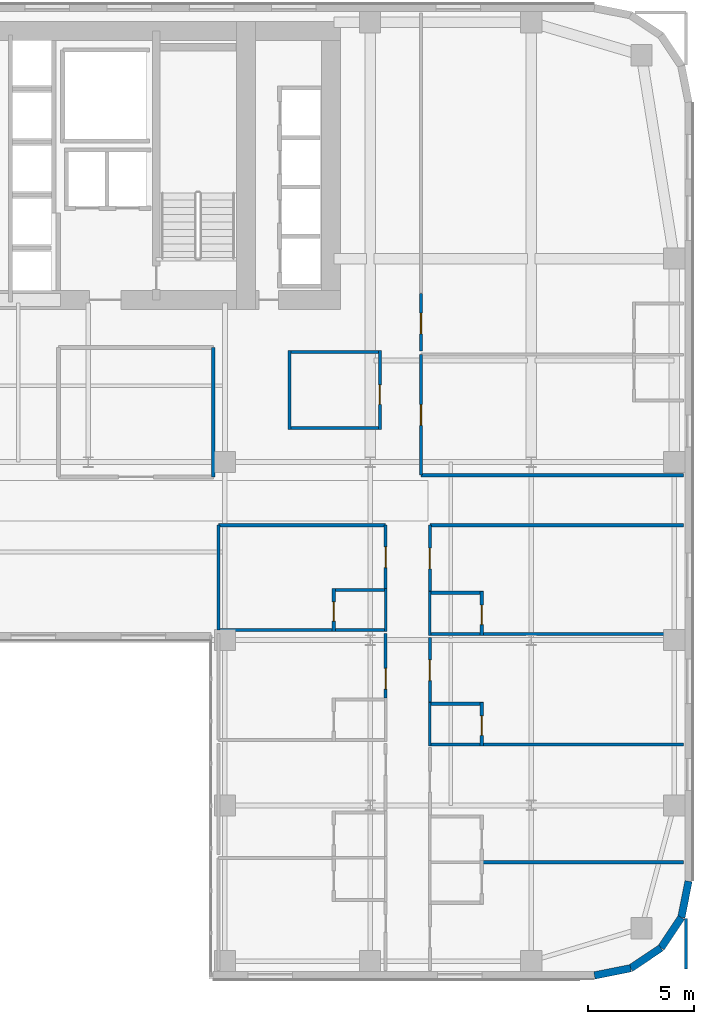
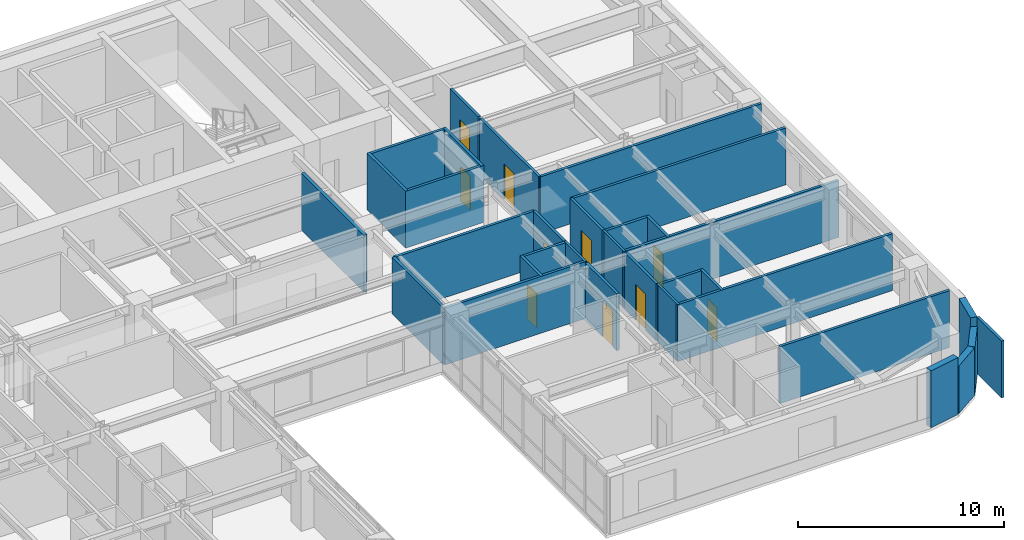
# One storey, part 29 of 37: 33 walls, 10 doors, 10 openings.
"""IFC4 building model written with IfcOpenShell, lengths in metres."""

from ifc_helpers import new_model, si_unit, direction, frame, frame_2d, origin, place, context, subcontext, project, spatial, rectangle, extrude, source, transform, mapped, material, layer, layer_set, type_object, type_shapes, element, fill, save


model = new_model("IFC4")

# Units and contexts
model_context = context("Model", 3, precision=1e-05, world=origin(), true_north=direction((0.0, 1.0)))
body_context = subcontext(model_context, "Body", "Model", "MODEL_VIEW")
ifc_project = project(units=[si_unit("LENGTHUNIT", "METRE"), si_unit("AREAUNIT", "SQUARE_METRE"), si_unit("VOLUMEUNIT", "CUBIC_METRE"), si_unit("PLANEANGLEUNIT", "RADIAN"), si_unit("MASSUNIT", "GRAM", prefix="KILO")], contexts=[model_context])

# Site, building, storey
site_placement = place(None, origin())
site = spatial("IfcSite", under=ifc_project, at=site_placement, CompositionType="ELEMENT")
building_placement = place(site_placement, origin())
building = spatial("IfcBuilding", under=site, at=building_placement, Name="Tolvann Quenvar Hotel", CompositionType="ELEMENT")
storey_placement = place(building_placement, frame((0.0, 0.0, 53.300048828125)))
storey = spatial("IfcBuildingStorey", under=building, at=storey_placement, Name="L12", CompositionType="ELEMENT", Elevation=53.300048828125)

# Walls
ifc_material_1 = material(Name="Kiln-fired red and buff architectural clay brickwork and terracotta masonry", Category="masonry")
ifc_layer_1 = layer(ifc_material_1, 0.35009765625)
ifc_layer_set_1 = layer_set([ifc_layer_1], Name="Kiln-fired red and buff architectural clay brickwork and terracotta masonry")
wall_type_1 = type_object("IfcWallType", Name="WALL_EXT_BRICK_350", PredefinedType="SOLIDWALL", material=ifc_layer_set_1)
wall_1_placement = place(storey_placement, frame((52.3828125, 0.175048828125, 0.0), z_axis=(0.0, 0.0, 1.0), x_axis=(0.980800971659, 0.195011420161, 0.0)))
element("IfcWall", 1, at=wall_1_placement, inside=storey, type_object=wall_type_1, Name="Exterior Chicago Brick Wall L12-E09", PredefinedType="SOLIDWALL", context=body_context, shape_type="SweptSolid", body=[
    extrude(rectangle(XDim=1.74267578125, YDim=0.35009765625, at=frame_2d((0.871337890625, 0.0))), origin(), (0.0, 0.0, 1.0), 3.369873046875),
])
for number, where, z_axis, x_axis, name in (
    (2, (54.092041015625, 0.514892578125, 0.0), (0.0, 0.0, 1.0), (0.831483840845, 0.55554893791, 0.0), "Exterior Chicago Brick Wall L12-E10"),
    (3, (55.526611328125, 1.473388671875, 0.0), (0.0, 0.0, 1.0), (0.55554893791, 0.831483840845, 0.0), "Exterior Chicago Brick Wall L12-E11"),
):
    element("IfcWall", number, at=place(storey_placement, frame(where, z_axis=z_axis, x_axis=x_axis)), inside=storey, type_object=wall_type_1, Name=name, PredefinedType="SOLIDWALL", context=body_context, shape_type="SweptSolid", body=[
        extrude(rectangle(XDim=1.725341796875, YDim=0.35009765625, at=frame_2d((0.86279296875, 0.0))), origin(), (0.0, 0.0, 1.0), 2.83203125),
    ])
wall_2_placement = place(storey_placement, frame((56.485107421875, 2.907958984375, 0.0), z_axis=(0.0, 0.0, 1.0), x_axis=(0.195011420161, 0.980800971659, 0.0)))
element("IfcWall", 4, at=wall_2_placement, inside=storey, type_object=wall_type_1, Name="Exterior Chicago Brick Wall L12-E12", PredefinedType="SOLIDWALL", context=body_context, shape_type="SweptSolid", body=[
    extrude(rectangle(XDim=1.74267578125, YDim=0.35009765625, at=frame_2d((0.871337890625, 0.0))), origin(), (0.0, 0.0, 1.0), 3.369873046875),
])
ifc_material_2 = material(Name="Acoustic twin-stud fire-rated gypsum plasterboard partition")
ifc_layer_2 = layer(ifc_material_2, 0.179931640625)
ifc_layer_set_2 = layer_set([ifc_layer_2], Name="Acoustic twin-stud fire-rated gypsum plasterboard partition")
wall_type_2 = type_object("IfcWallType", Name="WALL_PART_ACOUSTIC_180", PredefinedType="PARTITIONING", material=ifc_layer_set_2)
wall_3_placement = place(storey_placement, frame((34.39990234375, 23.699951171875, 0.0), z_axis=(0.0, 0.0, 1.0), x_axis=(0.0, 1.0, 0.0)))
element("IfcWall", 5, at=wall_3_placement, inside=storey, type_object=wall_type_2, Name="Interior Partition PT-SPC-L12-MSP-C-E", PredefinedType="PARTITIONING", context=body_context, shape_type="SweptSolid", body=[
    extrude(rectangle(XDim=6.10009765625, YDim=0.179931640625, at=frame_2d((3.050048828125, 0.0))), origin(), (0.0, 0.0, 1.0), 3.369873046875),
])
ifc_material_3 = material(Name="Moisture-resistant acoustic plumbing wall assembly")
ifc_layer_3 = layer(ifc_material_3, 0.1201171875)
ifc_layer_set_3 = layer_set([ifc_layer_3], Name="Moisture-resistant acoustic plumbing wall assembly")
wall_type_3 = type_object("IfcWallType", Name="WALL_PART_BATH_120", PredefinedType="PLUMBINGWALL", material=ifc_layer_set_3)
wall_4_placement = place(storey_placement, frame((42.530029296875, 16.409912109375, 0.0), z_axis=(0.0, 0.0, 1.0), x_axis=(0.0, 1.0, 0.0)))
element("IfcWall", 6, at=wall_4_placement, inside=storey, type_object=wall_type_3, Name="Non-Rated Plumbing Partition PT-SPC-L12-ENS-EI04-E", PredefinedType="PLUMBINGWALL", context=body_context, shape_type="SweptSolid", body=[
    extrude(rectangle(XDim=2.01708984375, YDim=0.1201171875, at=frame_2d((1.008544921875, 0.0))), origin(), (0.0, 0.0, 1.0), 3.369873046875),
])
wall_5_placement = place(storey_placement, frame((44.6201171875, 11.010009765625, 0.0), z_axis=(0.0, 0.0, 1.0), x_axis=(0.0, 1.0, 0.0)))
element("IfcWall", 7, at=wall_5_placement, inside=storey, type_object=wall_type_3, Name="Non-Rated Plumbing Partition PT-SPC-L12-ENS-EO03-W", PredefinedType="PLUMBINGWALL", context=body_context, shape_type="SweptSolid", body=[
    extrude(rectangle(XDim=2.054931640625, YDim=0.1201171875, at=frame_2d((1.02734375, 0.0))), origin(), (0.0, 0.0, 1.0), 3.369873046875),
])
wall_6_placement = place(storey_placement, frame((44.6201171875, 16.2099609375, 0.0), z_axis=(0.0, 0.0, 1.0), x_axis=(0.0, 1.0, 0.0)))
element("IfcWall", 8, at=wall_6_placement, inside=storey, type_object=wall_type_3, Name="Non-Rated Plumbing Partition PT-SPC-L12-ENS-EO04-W", PredefinedType="PLUMBINGWALL", context=body_context, shape_type="SweptSolid", body=[
    extrude(rectangle(XDim=2.093017578125, YDim=0.1201171875, at=frame_2d((1.04638671875, 0.0))), origin(), (0.0, 0.0, 1.0), 3.369873046875),
])

# Wall, opening, door
ifc_layer_4 = layer(ifc_material_2, 0.14990234375)
ifc_layer_set_4 = layer_set([ifc_layer_4], Name="Acoustic twin-stud fire-rated gypsum plasterboard partition")
wall_type_4 = type_object("IfcWallType", Name="WALL_PART_SUITE_150", PredefinedType="PARTITIONING", material=ifc_layer_set_4)
wall_7_placement = place(storey_placement, frame((40.080078125, 16.409912109375, 0.0), z_axis=(0.0, 0.0, 1.0), x_axis=(0.0, 1.0, 0.0)))
wall_7 = element("IfcWall", 9, at=wall_7_placement, inside=storey, type_object=wall_type_4, Name="Interior Partition PT-SPC-L12-ENS-EI04-ENT", PredefinedType="PARTITIONING", context=body_context, shape_type="SweptSolid", body=[
    extrude(rectangle(XDim=2.01708984375, YDim=0.14990234375, at=frame_2d((1.008544921875, 0.0))), origin(), (0.0, 0.0, 1.0), 3.369873046875),
])
opening_1_placement = place(wall_7_placement, frame((0.478515625, 0.0, 0.0)))
opening_1 = element("IfcOpeningElement", 10, at=opening_1_placement, cuts=wall_7, Name="Opening WD-01", PredefinedType="OPENING", context=body_context, shape_type="SweptSolid", body=[
    extrude(rectangle(XDim=0.919921875, YDim=2.010009765625, at=frame_2d((0.4599609375, 1.0048828125))), frame((0.0, 0.0849609375, 0.0), z_axis=(0.0, -1.0, 0.0), x_axis=(1.0, 0.0, 0.0)), (0.0, 0.0, 1.0), 0.169921875),
])
ifc_material_4 = material(Name="Solid-core American oak acoustic fire door leaf in steel frame", Category="steel")
door_type_1 = type_object("IfcDoorType", Name="DOOR_WC_920", OperationType="NOTDEFINED", PredefinedType="DOOR", material=ifc_material_4)
shared_shape_1 = source(origin(), body_context, "Body", "SweptSolid", [
    extrude(rectangle(XDim=0.919921875, YDim=2.010009765625, at=frame_2d((0.4599609375, 1.0048828125))), frame((0.0, 0.02490234375, 0.0), z_axis=(0.0, -1.0, 0.0), x_axis=(1.0, 0.0, 0.0)), (0.0, 0.0, 1.0), 0.050048828125),
])
type_shapes(door_type_1, [shared_shape_1])
door_1_placement = place(opening_1_placement, origin())
door_1 = element("IfcDoor", 11, at=door_1_placement, inside=storey, type_object=door_type_1, Name="Interior Door DOOR-SPC-L12-ENS-EI04", OperationType="SINGLE_SWING_RIGHT", OverallHeight=2.010009765625, OverallWidth=0.919921875, PredefinedType="DOOR", context=body_context, shape_type="MappedRepresentation", body=[
    mapped(shared_shape_1, transform((0.0, 0.0, 0.0), x_axis=(1.0, 0.0, 0.0), y_axis=(0.0, 1.0, 0.0), z_axis=(0.0, 0.0, 1.0), scale=1.0)),
])
fill(opening_1, door_1)

# Walls
wall_8_placement = place(storey_placement, frame((34.64990234375, 16.47998046875, 0.0), z_axis=(0.0, 0.0, 1.0), x_axis=(1.0, 0.0, 0.0)))
element("IfcWall", 12, at=wall_8_placement, inside=storey, type_object=wall_type_4, Name="Interior Partition PT-SPC-L12-ENS-EI04-S", PredefinedType="PARTITIONING", context=body_context, shape_type="SweptSolid", body=[
    extrude(rectangle(XDim=7.9501953125, YDim=0.14990234375, at=frame_2d((3.97509765625, 0.0))), origin(), (0.0, 0.0, 1.0), 3.369873046875),
])
wall_9_placement = place(storey_placement, frame((40.010009765625, 18.35693359375, 0.0), z_axis=(0.0, 0.0, 1.0), x_axis=(1.0, 0.0, 0.0)))
element("IfcWall", 13, at=wall_9_placement, inside=storey, type_object=wall_type_4, Name="Interior Partition PT-SPC-L12-ENS-EI04-N", PredefinedType="PARTITIONING", context=body_context, shape_type="SweptSolid", body=[
    extrude(rectangle(XDim=2.590087890625, YDim=0.14990234375, at=frame_2d((1.294921875, 0.0))), origin(), (0.0, 0.0, 1.0), 3.369873046875),
])

# Wall, opening, door
wall_10_placement = place(storey_placement, frame((47.070068359375, 11.010009765625, 0.0), z_axis=(0.0, 0.0, 1.0), x_axis=(0.0, 1.0, 0.0)))
wall_10 = element("IfcWall", 14, at=wall_10_placement, inside=storey, type_object=wall_type_4, Name="Interior Partition PT-SPC-L12-ENS-EO03-ENT", PredefinedType="PARTITIONING", context=body_context, shape_type="SweptSolid", body=[
    extrude(rectangle(XDim=2.054931640625, YDim=0.14990234375, at=frame_2d((1.02734375, 0.0))), origin(), (0.0, 0.0, 1.0), 3.369873046875),
])
opening_2_placement = place(wall_10_placement, frame((0.49755859375, 0.0, 0.0)))
opening_2 = element("IfcOpeningElement", 15, at=opening_2_placement, cuts=wall_10, Name="Opening WD-01", PredefinedType="OPENING", context=body_context, shape_type="SweptSolid", body=[
    extrude(rectangle(XDim=0.919921875, YDim=2.010009765625, at=frame_2d((0.4599609375, 1.0048828125))), frame((0.0, 0.0849609375, 0.0), z_axis=(0.0, -1.0, 0.0), x_axis=(1.0, 0.0, 0.0)), (0.0, 0.0, 1.0), 0.169921875),
])
door_2_placement = place(opening_2_placement, origin())
door_2 = element("IfcDoor", 16, at=door_2_placement, inside=storey, type_object=door_type_1, Name="Interior Door DOOR-SPC-L12-ENS-EO03", OperationType="SINGLE_SWING_LEFT", OverallHeight=2.010009765625, OverallWidth=0.919921875, PredefinedType="DOOR", context=body_context, shape_type="MappedRepresentation", body=[
    mapped(shared_shape_1, transform((0.0, 0.0, 0.0), x_axis=(1.0, 0.0, 0.0), y_axis=(0.0, 1.0, 0.0), z_axis=(0.0, 0.0, 1.0), scale=1.0)),
])
fill(opening_2, door_2)

# Walls
wall_11_placement = place(storey_placement, frame((44.550048828125, 11.080078125, 0.0), z_axis=(0.0, 0.0, 1.0), x_axis=(1.0, 0.0, 0.0)))
element("IfcWall", 17, at=wall_11_placement, inside=storey, type_object=wall_type_4, Name="Interior Partition PT-SPC-L12-ENS-EO03-S", PredefinedType="PARTITIONING", context=body_context, shape_type="SweptSolid", body=[
    extrude(rectangle(XDim=12.044921875, YDim=0.14990234375, at=frame_2d((6.0224609375, 0.0))), origin(), (0.0, 0.0, 1.0), 3.369873046875),
])
wall_12_placement = place(storey_placement, frame((44.550048828125, 12.9951171875, 0.0), z_axis=(0.0, 0.0, 1.0), x_axis=(1.0, 0.0, 0.0)))
element("IfcWall", 18, at=wall_12_placement, inside=storey, type_object=wall_type_4, Name="Interior Partition PT-SPC-L12-ENS-EO03-N", PredefinedType="PARTITIONING", context=body_context, shape_type="SweptSolid", body=[
    extrude(rectangle(XDim=2.58984375, YDim=0.14990234375, at=frame_2d((1.294921875, 0.0))), origin(), (0.0, 0.0, 1.0), 3.369873046875),
])

# Wall, opening, door
wall_13_placement = place(storey_placement, frame((47.070068359375, 16.2099609375, 0.0), z_axis=(0.0, 0.0, 1.0), x_axis=(0.0, 1.0, 0.0)))
wall_13 = element("IfcWall", 19, at=wall_13_placement, inside=storey, type_object=wall_type_4, Name="Interior Partition PT-SPC-L12-ENS-EO04-ENT", PredefinedType="PARTITIONING", context=body_context, shape_type="SweptSolid", body=[
    extrude(rectangle(XDim=2.093017578125, YDim=0.14990234375, at=frame_2d((1.04638671875, 0.0))), origin(), (0.0, 0.0, 1.0), 3.369873046875),
])
opening_3_placement = place(wall_13_placement, frame((0.5166015625, 0.0, 0.0)))
opening_3 = element("IfcOpeningElement", 20, at=opening_3_placement, cuts=wall_13, Name="Opening WD-01", PredefinedType="OPENING", context=body_context, shape_type="SweptSolid", body=[
    extrude(rectangle(XDim=0.919921875, YDim=2.010009765625, at=frame_2d((0.4599609375, 1.0048828125))), frame((0.0, 0.0849609375, 0.0), z_axis=(0.0, -1.0, 0.0), x_axis=(1.0, 0.0, 0.0)), (0.0, 0.0, 1.0), 0.169921875),
])
door_3_placement = place(opening_3_placement, origin())
door_3 = element("IfcDoor", 21, at=door_3_placement, inside=storey, type_object=door_type_1, Name="Interior Door DOOR-SPC-L12-ENS-EO04", OperationType="SINGLE_SWING_RIGHT", OverallHeight=2.010009765625, OverallWidth=0.919921875, PredefinedType="DOOR", context=body_context, shape_type="MappedRepresentation", body=[
    mapped(shared_shape_1, transform((0.0, 0.0, 0.0), x_axis=(1.0, 0.0, 0.0), y_axis=(0.0, 1.0, 0.0), z_axis=(0.0, 0.0, 1.0), scale=1.0)),
])
fill(opening_3, door_3)

# Walls
wall_14_placement = place(storey_placement, frame((44.550048828125, 16.280029296875, 0.0), z_axis=(0.0, 0.0, 1.0), x_axis=(1.0, 0.0, 0.0)))
element("IfcWall", 22, at=wall_14_placement, inside=storey, type_object=wall_type_4, Name="Interior Partition PT-SPC-L12-ENS-EO04-S", PredefinedType="PARTITIONING", context=body_context, shape_type="SweptSolid", body=[
    extrude(rectangle(XDim=12.044921875, YDim=0.14990234375, at=frame_2d((6.0224609375, 0.0))), origin(), (0.0, 0.0, 1.0), 3.369873046875),
])
wall_15_placement = place(storey_placement, frame((44.550048828125, 18.23291015625, 0.0), z_axis=(0.0, 0.0, 1.0), x_axis=(1.0, 0.0, 0.0)))
element("IfcWall", 23, at=wall_15_placement, inside=storey, type_object=wall_type_4, Name="Interior Partition PT-SPC-L12-ENS-EO04-N", PredefinedType="PARTITIONING", context=body_context, shape_type="SweptSolid", body=[
    extrude(rectangle(XDim=2.58984375, YDim=0.14990234375, at=frame_2d((1.294921875, 0.0))), origin(), (0.0, 0.0, 1.0), 3.369873046875),
])

# Wall, opening, door
wall_16_placement = place(storey_placement, frame((42.530029296875, 13.27490234375, 0.0), z_axis=(0.0, 0.0, 1.0), x_axis=(0.0, 1.0, 0.0)))
wall_16 = element("IfcWall", 24, at=wall_16_placement, inside=storey, type_object=wall_type_4, Name="Interior Partition PT-SPC-L12-RM-EI03-ENT", PredefinedType="PARTITIONING", context=body_context, shape_type="SweptSolid", body=[
    extrude(rectangle(XDim=3.045166015625, YDim=0.14990234375, at=frame_2d((1.5224609375, 0.0))), origin(), (0.0, 0.0, 1.0), 3.369873046875),
])
opening_4_placement = place(wall_16_placement, frame((0.41259765625, 0.0, 0.0)))
opening_4 = element("IfcOpeningElement", 25, at=opening_4_placement, cuts=wall_16, Name="Opening SD-01", PredefinedType="OPENING", context=body_context, shape_type="SweptSolid", body=[
    extrude(rectangle(XDim=0.97998046875, YDim=2.1201171875, at=frame_2d((0.489990234375, 1.06005859375))), frame((0.0, 0.0849609375, 0.0), z_axis=(0.0, -1.0, 0.0), x_axis=(1.0, 0.0, 0.0)), (0.0, 0.0, 1.0), 0.169921875),
])
door_type_2 = type_object("IfcDoorType", Name="DOOR_SUITE_980", OperationType="NOTDEFINED", PredefinedType="DOOR", material=ifc_material_4)
shared_shape_2 = source(origin(), body_context, "Body", "SweptSolid", [
    extrude(rectangle(XDim=0.97998046875, YDim=2.1201171875, at=frame_2d((0.489990234375, 1.06005859375))), frame((0.0, 0.02490234375, 0.0), z_axis=(0.0, -1.0, 0.0), x_axis=(1.0, 0.0, 0.0)), (0.0, 0.0, 1.0), 0.050048828125),
])
type_shapes(door_type_2, [shared_shape_2])
door_4_placement = place(opening_4_placement, origin())
door_4 = element("IfcDoor", 26, at=door_4_placement, inside=storey, type_object=door_type_2, Name="Interior Door DOOR-SPC-L12-RM-EI03", OperationType="SINGLE_SWING_RIGHT", OverallHeight=2.1201171875, OverallWidth=0.97998046875, PredefinedType="DOOR", context=body_context, shape_type="MappedRepresentation", body=[
    mapped(shared_shape_2, transform((0.0, 0.0, 0.0), x_axis=(1.0, 0.0, 0.0), y_axis=(0.0, 1.0, 0.0), z_axis=(0.0, 0.0, 1.0), scale=1.0)),
])
fill(opening_4, door_4)

wall_17_placement = place(storey_placement, frame((42.530029296875, 18.43701171875, 0.0), z_axis=(0.0, 0.0, 1.0), x_axis=(0.0, 1.0, 0.0)))
wall_17 = element("IfcWall", 27, at=wall_17_placement, inside=storey, type_object=wall_type_4, Name="Interior Partition PT-SPC-L12-RM-EI04-ENT", PredefinedType="PARTITIONING", context=body_context, shape_type="SweptSolid", body=[
    extrude(rectangle(XDim=2.98291015625, YDim=0.14990234375, at=frame_2d((1.491455078125, 0.0))), origin(), (0.0, 0.0, 1.0), 3.369873046875),
])
opening_5_placement = place(wall_17_placement, frame((0.9814453125, 0.0, 0.0)))
opening_5 = element("IfcOpeningElement", 28, at=opening_5_placement, cuts=wall_17, Name="Opening SD-01", PredefinedType="OPENING", context=body_context, shape_type="SweptSolid", body=[
    extrude(rectangle(XDim=0.97998046875, YDim=2.1201171875, at=frame_2d((0.489990234375, 1.06005859375))), frame((0.0, 0.0849609375, 0.0), z_axis=(0.0, -1.0, 0.0), x_axis=(1.0, 0.0, 0.0)), (0.0, 0.0, 1.0), 0.169921875),
])
door_5_placement = place(opening_5_placement, origin())
door_5 = element("IfcDoor", 29, at=door_5_placement, inside=storey, type_object=door_type_2, Name="Interior Door DOOR-SPC-L12-RM-EI04", OperationType="SINGLE_SWING_LEFT", OverallHeight=2.1201171875, OverallWidth=0.97998046875, PredefinedType="DOOR", context=body_context, shape_type="MappedRepresentation", body=[
    mapped(shared_shape_2, transform((0.0, 0.0, 0.0), x_axis=(1.0, 0.0, 0.0), y_axis=(0.0, 1.0, 0.0), z_axis=(0.0, 0.0, 1.0), scale=1.0)),
])
fill(opening_5, door_5)

# Walls
wall_18_placement = place(storey_placement, frame((34.64990234375, 21.419921875, 0.0), z_axis=(0.0, 0.0, 1.0), x_axis=(1.0, 0.0, 0.0)))
element("IfcWall", 30, at=wall_18_placement, inside=storey, type_object=wall_type_4, Name="Interior Partition PT-SPC-L12-RM-EI04-E5", PredefinedType="PARTITIONING", context=body_context, shape_type="SweptSolid", body=[
    extrude(rectangle(XDim=7.880126953125, YDim=0.14990234375, at=frame_2d((3.93994140625, 0.0))), origin(), (0.0, 0.0, 1.0), 3.369873046875),
])
wall_19_placement = place(storey_placement, frame((34.64990234375, 16.47998046875, 0.0), z_axis=(0.0, 0.0, 1.0), x_axis=(0.0, 1.0, 0.0)))
element("IfcWall", 31, at=wall_19_placement, inside=storey, type_object=wall_type_4, Name="Interior Partition PT-SPC-L12-RM-EI04-E6", PredefinedType="PARTITIONING", context=body_context, shape_type="SweptSolid", body=[
    extrude(rectangle(XDim=4.93994140625, YDim=0.14990234375, at=frame_2d((2.469970703125, 0.0))), origin(), (0.0, 0.0, 1.0), 3.369873046875),
])
wall_20_placement = place(storey_placement, frame((56.699951171875, 0.47998046875, 0.0), z_axis=(0.0, 0.0, 1.0), x_axis=(0.0, 1.0, 0.0)))
element("IfcWall", 32, at=wall_20_placement, inside=storey, type_object=wall_type_4, Name="Interior Partition PT-SPC-L12-RM-EO01-E2", PredefinedType="PARTITIONING", context=body_context, shape_type="SweptSolid", body=[
    extrude(rectangle(XDim=2.385009765625, YDim=0.14990234375, at=frame_2d((1.1923828125, 0.0))), origin(), (0.0, 0.0, 1.0), 3.369873046875),
])
wall_21_placement = place(storey_placement, frame((47.090087890625, 5.52001953125, 0.0), z_axis=(0.0, 0.0, 1.0), x_axis=(1.0, 0.0, 0.0)))
element("IfcWall", 33, at=wall_21_placement, inside=storey, type_object=wall_type_4, Name="Interior Partition PT-SPC-L12-RM-EO01-E3", PredefinedType="PARTITIONING", context=body_context, shape_type="SweptSolid", body=[
    extrude(rectangle(XDim=9.5048828125, YDim=0.14990234375, at=frame_2d((4.75244140625, 0.0))), origin(), (0.0, 0.0, 1.0), 3.369873046875),
])

# Wall, opening, door
wall_22_placement = place(storey_placement, frame((44.6201171875, 13.074951171875, 0.0), z_axis=(0.0, 0.0, 1.0), x_axis=(0.0, 1.0, 0.0)))
wall_22 = element("IfcWall", 34, at=wall_22_placement, inside=storey, type_object=wall_type_4, Name="Interior Partition PT-SPC-L12-RM-EO03-ENT", PredefinedType="PARTITIONING", context=body_context, shape_type="SweptSolid", body=[
    extrude(rectangle(XDim=3.045166015625, YDim=0.14990234375, at=frame_2d((1.5224609375, 0.0))), origin(), (0.0, 0.0, 1.0), 3.369873046875),
])
opening_6_placement = place(wall_22_placement, frame((1.012451171875, 0.0, 0.0)))
opening_6 = element("IfcOpeningElement", 35, at=opening_6_placement, cuts=wall_22, Name="Opening SD-01", PredefinedType="OPENING", context=body_context, shape_type="SweptSolid", body=[
    extrude(rectangle(XDim=0.97998046875, YDim=2.1201171875, at=frame_2d((0.489990234375, 1.06005859375))), frame((0.0, 0.0849609375, 0.0), z_axis=(0.0, -1.0, 0.0), x_axis=(1.0, 0.0, 0.0)), (0.0, 0.0, 1.0), 0.169921875),
])
door_6_placement = place(opening_6_placement, origin())
door_6 = element("IfcDoor", 36, at=door_6_placement, inside=storey, type_object=door_type_2, Name="Interior Door DOOR-SPC-L12-RM-EO03", OperationType="SINGLE_SWING_RIGHT", OverallHeight=2.1201171875, OverallWidth=0.97998046875, PredefinedType="DOOR", context=body_context, shape_type="MappedRepresentation", body=[
    mapped(shared_shape_2, transform((0.0, 0.0, 0.0), x_axis=(1.0, 0.0, 0.0), y_axis=(0.0, 1.0, 0.0), z_axis=(0.0, 0.0, 1.0), scale=1.0)),
])
fill(opening_6, door_6)

wall_23_placement = place(storey_placement, frame((44.6201171875, 18.31298828125, 0.0), z_axis=(0.0, 0.0, 1.0), x_axis=(0.0, 1.0, 0.0)))
wall_23 = element("IfcWall", 37, at=wall_23_placement, inside=storey, type_object=wall_type_4, Name="Interior Partition PT-SPC-L12-RM-EO04-ENT", PredefinedType="PARTITIONING", context=body_context, shape_type="SweptSolid", body=[
    extrude(rectangle(XDim=3.10693359375, YDim=0.14990234375, at=frame_2d((1.553466796875, 0.0))), origin(), (0.0, 0.0, 1.0), 3.369873046875),
])
opening_7_placement = place(wall_23_placement, frame((1.04345703125, 0.0, 0.0)))
opening_7 = element("IfcOpeningElement", 38, at=opening_7_placement, cuts=wall_23, Name="Opening SD-01", PredefinedType="OPENING", context=body_context, shape_type="SweptSolid", body=[
    extrude(rectangle(XDim=0.97998046875, YDim=2.1201171875, at=frame_2d((0.489990234375, 1.06005859375))), frame((0.0, 0.0849609375, 0.0), z_axis=(0.0, -1.0, 0.0), x_axis=(1.0, 0.0, 0.0)), (0.0, 0.0, 1.0), 0.169921875),
])
door_7_placement = place(opening_7_placement, origin())
door_7 = element("IfcDoor", 39, at=door_7_placement, inside=storey, type_object=door_type_2, Name="Interior Door DOOR-SPC-L12-RM-EO04", OperationType="SINGLE_SWING_LEFT", OverallHeight=2.1201171875, OverallWidth=0.97998046875, PredefinedType="DOOR", context=body_context, shape_type="MappedRepresentation", body=[
    mapped(shared_shape_2, transform((0.0, 0.0, 0.0), x_axis=(1.0, 0.0, 0.0), y_axis=(0.0, 1.0, 0.0), z_axis=(0.0, 0.0, 1.0), scale=1.0)),
])
fill(opening_7, door_7)

# Wall
wall_24_placement = place(storey_placement, frame((44.6201171875, 21.419921875, 0.0), z_axis=(0.0, 0.0, 1.0), x_axis=(1.0, 0.0, 0.0)))
element("IfcWall", 40, at=wall_24_placement, inside=storey, type_object=wall_type_4, Name="Interior Partition PT-SPC-L12-RM-EO04-E5", PredefinedType="PARTITIONING", context=body_context, shape_type="SweptSolid", body=[
    extrude(rectangle(XDim=11.974853515625, YDim=0.14990234375, at=frame_2d((5.9873046875, 0.0))), origin(), (0.0, 0.0, 1.0), 3.369873046875),
])

# Wall, opening, door
wall_25_placement = place(storey_placement, frame((44.199951171875, 23.780029296875, 0.0), z_axis=(0.0, 0.0, 1.0), x_axis=(0.0, 1.0, 0.0)))
wall_25 = element("IfcWall", 41, at=wall_25_placement, inside=storey, type_object=wall_type_4, Name="Interior Partition PT-SPC-L12-RM-NE01-ENT", PredefinedType="PARTITIONING", context=body_context, shape_type="SweptSolid", body=[
    extrude(rectangle(XDim=5.68994140625, YDim=0.14990234375, at=frame_2d((2.844970703125, 0.0))), origin(), (0.0, 0.0, 1.0), 3.369873046875),
])
opening_8_placement = place(wall_25_placement, frame((2.35498046875, 0.0, 0.0)))
opening_8 = element("IfcOpeningElement", 42, at=opening_8_placement, cuts=wall_25, Name="Opening SD-01", PredefinedType="OPENING", context=body_context, shape_type="SweptSolid", body=[
    extrude(rectangle(XDim=0.97998046875, YDim=2.1201171875, at=frame_2d((0.489990234375, 1.06005859375))), frame((0.0, 0.0849609375, 0.0), z_axis=(0.0, -1.0, 0.0), x_axis=(1.0, 0.0, 0.0)), (0.0, 0.0, 1.0), 0.169921875),
])
door_8_placement = place(opening_8_placement, origin())
door_8 = element("IfcDoor", 43, at=door_8_placement, inside=storey, type_object=door_type_2, Name="Interior Door DOOR-SPC-L12-RM-NE01", OperationType="SINGLE_SWING_RIGHT", OverallHeight=2.1201171875, OverallWidth=0.97998046875, PredefinedType="DOOR", context=body_context, shape_type="MappedRepresentation", body=[
    mapped(shared_shape_2, transform((0.0, 0.0, 0.0), x_axis=(1.0, 0.0, 0.0), y_axis=(0.0, 1.0, 0.0), z_axis=(0.0, 0.0, 1.0), scale=1.0)),
])
fill(opening_8, door_8)

# Wall
wall_26_placement = place(storey_placement, frame((44.199951171875, 23.780029296875, 0.0), z_axis=(0.0, 0.0, 1.0), x_axis=(1.0, 0.0, 0.0)))
element("IfcWall", 44, at=wall_26_placement, inside=storey, type_object=wall_type_4, Name="Interior Partition PT-SPC-L12-RM-NE01-E1", PredefinedType="PARTITIONING", context=body_context, shape_type="SweptSolid", body=[
    extrude(rectangle(XDim=12.39501953125, YDim=0.14990234375, at=frame_2d((6.197509765625, 0.0))), origin(), (0.0, 0.0, 1.0), 3.369873046875),
])

# Wall, opening, door
wall_27_placement = place(storey_placement, frame((44.199951171875, 29.6298828125, 0.0), z_axis=(0.0, 0.0, 1.0), x_axis=(0.0, 1.0, 0.0)))
wall_27 = element("IfcWall", 45, at=wall_27_placement, inside=storey, type_object=wall_type_4, Name="Interior Partition PT-SPC-L12-RM-NE02-ENT", PredefinedType="PARTITIONING", context=body_context, shape_type="SweptSolid", body=[
    extrude(rectangle(XDim=2.730224609375, YDim=0.14990234375, at=frame_2d((1.365234375, 0.0))), origin(), (0.0, 0.0, 1.0), 3.369873046875),
])
opening_9_placement = place(wall_27_placement, frame((0.820068359375, 0.0, 0.0)))
opening_9 = element("IfcOpeningElement", 46, at=opening_9_placement, cuts=wall_27, Name="Opening SD-01", PredefinedType="OPENING", context=body_context, shape_type="SweptSolid", body=[
    extrude(rectangle(XDim=0.97998046875, YDim=2.1201171875, at=frame_2d((0.489990234375, 1.06005859375))), frame((0.0, 0.0849609375, 0.0), z_axis=(0.0, -1.0, 0.0), x_axis=(1.0, 0.0, 0.0)), (0.0, 0.0, 1.0), 0.169921875),
])
door_9_placement = place(opening_9_placement, origin())
door_9 = element("IfcDoor", 47, at=door_9_placement, inside=storey, type_object=door_type_2, Name="Interior Door DOOR-SPC-L12-RM-NE02", OperationType="SINGLE_SWING_LEFT", OverallHeight=2.1201171875, OverallWidth=0.97998046875, PredefinedType="DOOR", context=body_context, shape_type="MappedRepresentation", body=[
    mapped(shared_shape_2, transform((0.0, 0.0, 0.0), x_axis=(1.0, 0.0, 0.0), y_axis=(0.0, 1.0, 0.0), z_axis=(0.0, 0.0, 1.0), scale=1.0)),
])
fill(opening_9, door_9)

wall_28_placement = place(storey_placement, frame((42.260009765625, 25.929931640625, 0.0), z_axis=(0.0, 0.0, 1.0), x_axis=(0.0, 1.0, 0.0)))
wall_28 = element("IfcWall", 48, at=wall_28_placement, inside=storey, type_object=wall_type_4, Name="Interior Partition PT-SPC-L12-WCA-ENT", PredefinedType="PARTITIONING", context=body_context, shape_type="SweptSolid", body=[
    extrude(rectangle(XDim=3.739990234375, YDim=0.14990234375, at=frame_2d((1.8701171875, 0.0))), origin(), (0.0, 0.0, 1.0), 3.369873046875),
])
opening_10_placement = place(wall_28_placement, frame((1.18994140625, 0.0, 0.0)))
opening_10 = element("IfcOpeningElement", 49, at=opening_10_placement, cuts=wall_28, Name="Opening WD-01", PredefinedType="OPENING", context=body_context, shape_type="SweptSolid", body=[
    extrude(rectangle(XDim=0.919921875, YDim=2.010009765625, at=frame_2d((0.4599609375, 1.0048828125))), frame((0.0, 0.0849609375, 0.0), z_axis=(0.0, -1.0, 0.0), x_axis=(1.0, 0.0, 0.0)), (0.0, 0.0, 1.0), 0.169921875),
])
door_10_placement = place(opening_10_placement, origin())
door_10 = element("IfcDoor", 50, at=door_10_placement, inside=storey, type_object=door_type_1, Name="Interior Door DOOR-SPC-L12-WCA", OperationType="SINGLE_SWING_RIGHT", OverallHeight=2.010009765625, OverallWidth=0.919921875, PredefinedType="DOOR", context=body_context, shape_type="MappedRepresentation", body=[
    mapped(shared_shape_1, transform((0.0, 0.0, 0.0), x_axis=(1.0, 0.0, 0.0), y_axis=(0.0, 1.0, 0.0), z_axis=(0.0, 0.0, 1.0), scale=1.0)),
])
fill(opening_10, door_10)

# Walls
for number, where, z_axis, x_axis, name in (
    (51, (37.929931640625, 26.0, 0.0), (0.0, 0.0, 1.0), (1.0, 0.0, 0.0), "Interior Partition PT-SPC-L12-WCA-S"),
    (52, (37.929931640625, 29.60009765625, 0.0), (0.0, 0.0, 1.0), (1.0, 0.0, 0.0), "Interior Partition PT-SPC-L12-WCA-N"),
):
    element("IfcWall", number, at=place(storey_placement, frame(where, z_axis=z_axis, x_axis=x_axis)), inside=storey, type_object=wall_type_4, Name=name, PredefinedType="PARTITIONING", context=body_context, shape_type="SweptSolid", body=[
        extrude(rectangle(XDim=4.400146484375, YDim=0.14990234375, at=frame_2d((2.2001953125, 0.0))), origin(), (0.0, 0.0, 1.0), 3.369873046875),
    ])
wall_29_placement = place(storey_placement, frame((38.0, 25.929931640625, 0.0), z_axis=(0.0, 0.0, 1.0), x_axis=(0.0, 1.0, 0.0)))
element("IfcWall", 53, at=wall_29_placement, inside=storey, type_object=wall_type_4, Name="Interior Partition PT-SPC-L12-WCA-W", PredefinedType="PARTITIONING", context=body_context, shape_type="SweptSolid", body=[
    extrude(rectangle(XDim=3.739990234375, YDim=0.14990234375, at=frame_2d((1.8701171875, 0.0))), origin(), (0.0, 0.0, 1.0), 3.369873046875),
])

save(model, "model.ifc")
